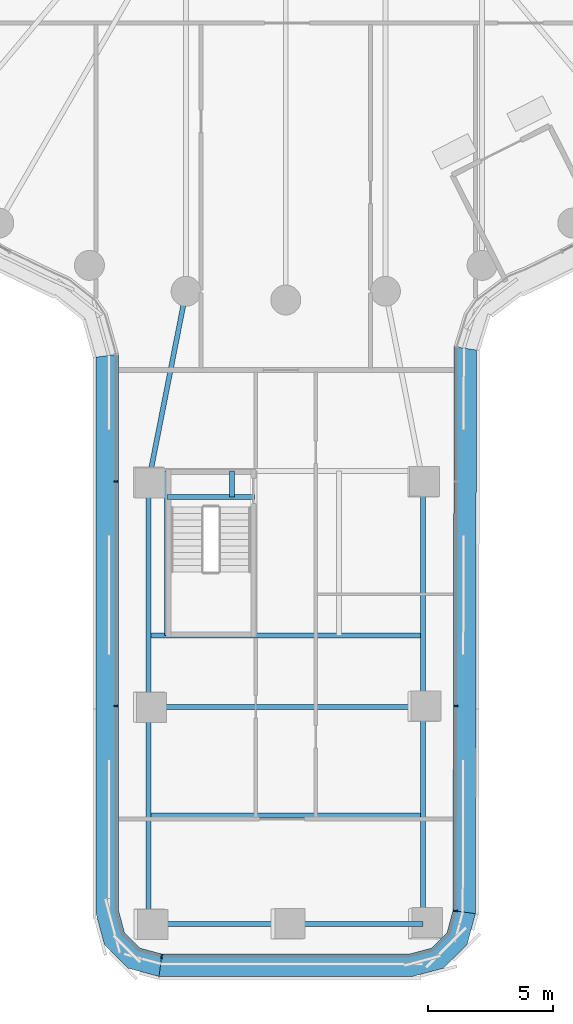
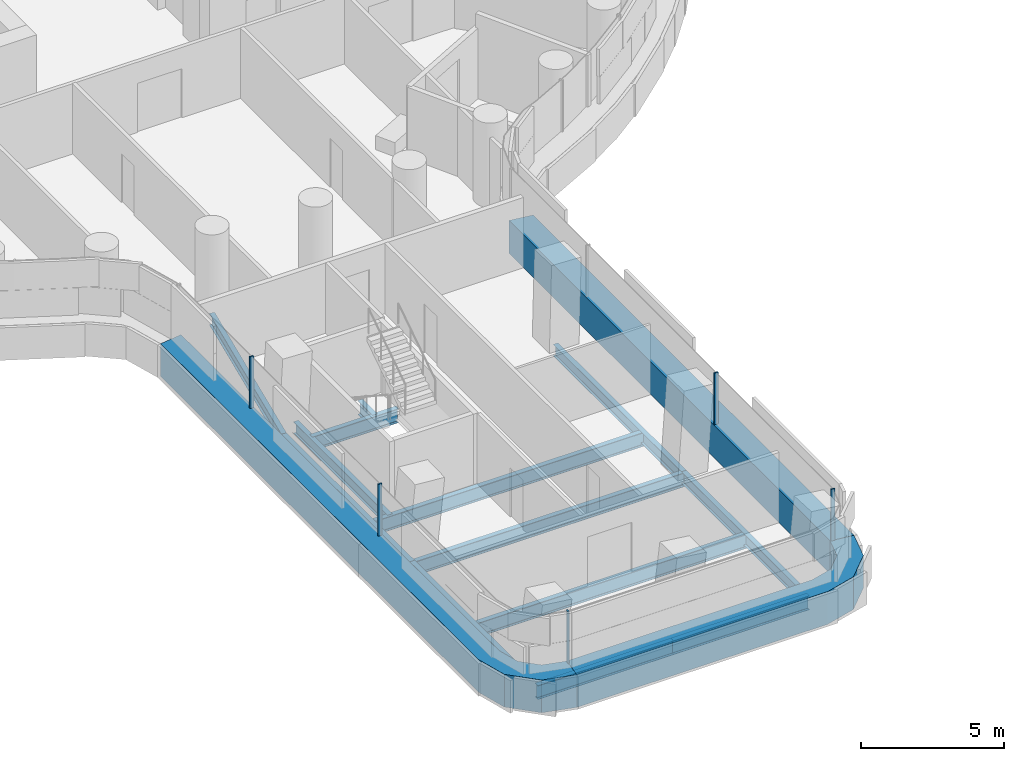
# One storey, part 2 of 32: 13 beams, 8 members, 3 elements without a shape of their own.
"""IFC4 building model written with IfcOpenShell, lengths in metres."""

from ifc_helpers import new_model, si_unit, direction, frame, origin, origin_2d, place, context, subcontext, project, spatial, polyline, rectangle, i_section, outline, extrude, material, layer, layer_set, material_profile, profile_set, type_object, element, aggregate, save


model = new_model("IFC4")

# Units and contexts
model_context = context("Model", 3, precision=1e-05, world=origin(), true_north=direction((0.0, 1.0)))
body_context = subcontext(model_context, "Body", "Model", "MODEL_VIEW")
ifc_project = project(units=[si_unit("LENGTHUNIT", "METRE"), si_unit("AREAUNIT", "SQUARE_METRE"), si_unit("VOLUMEUNIT", "CUBIC_METRE"), si_unit("PLANEANGLEUNIT", "RADIAN"), si_unit("MASSUNIT", "GRAM", prefix="KILO")], contexts=[model_context])

# Site, building, storey
site_placement = place(None, origin())
site = spatial("IfcSite", under=ifc_project, at=site_placement, CompositionType="ELEMENT")
building_placement = place(site_placement, origin())
building = spatial("IfcBuilding", under=site, at=building_placement, Name="Tamarind Cross Interchange Tower", CompositionType="ELEMENT")
storey_placement = place(building_placement, frame((0.0, 0.0, 34.0)))
storey = spatial("IfcBuildingStorey", under=building, at=storey_placement, Name="L06", CompositionType="ELEMENT", Elevation=34.0)

# Beams
ifc_material_1 = material(Name="Steel Q355B", Category="steel")
ifc_material_profile_1 = material_profile(ifc_material_1, i_section(OverallWidth=0.198974609375, OverallDepth=0.49609375, WebThickness=0.009033203125, FlangeThickness=0.013916015625, FilletRadius=0.012939453125, at=origin_2d()), Name="HN 496x199x9x14")
ifc_profile_set_1 = profile_set([ifc_material_profile_1], Name="Steel Q355B")
beam_type_1 = type_object("IfcBeamType", Name="Composite beam HN 496x199x9x14 Q355B", PredefinedType="BEAM", material=ifc_profile_set_1)
beam_1_placement = place(storey_placement, frame((-5.5, -48.007568359375, -0.387939453125), z_axis=(0.0, 1.0, 0.0), x_axis=(-1.0, 0.0, 0.0)))
element("IfcBeam", 1, at=beam_1_placement, inside=storey, type_object=beam_type_1, Name="Beam S-edgeem5", PredefinedType="BEAM", context=body_context, shape_type="SweptSolid", body=[
    extrude(i_section(OverallWidth=0.198974609375, OverallDepth=0.49609375, WebThickness=0.009033203125, FlangeThickness=0.013916015625, FilletRadius=0.012939453125, at=origin_2d()), origin(), (0.0, 0.0, 1.0), 8.70751953125),
])
beam_2_placement = place(storey_placement, frame((-5.5, -39.300048828125, -0.387939453125), z_axis=(0.0, 1.0, 0.0), x_axis=(-1.0, 0.0, 0.0)))
element("IfcBeam", 2, at=beam_2_placement, inside=storey, type_object=beam_type_1, Name="Beam S-edgeem6", PredefinedType="BEAM", context=body_context, shape_type="SweptSolid", body=[
    extrude(i_section(OverallWidth=0.198974609375, OverallDepth=0.49609375, WebThickness=0.009033203125, FlangeThickness=0.013916015625, FilletRadius=0.012939453125, at=origin_2d()), origin(), (0.0, 0.0, 1.0), 9.0),
])
beam_3_placement = place(storey_placement, frame((5.5, -48.007568359375, -0.387939453125), z_axis=(0.0, 1.0, 0.0), x_axis=(-1.0, 0.0, 0.0)))
element("IfcBeam", 3, at=beam_3_placement, inside=storey, type_object=beam_type_1, Name="Beam S-edgeep2", PredefinedType="BEAM", context=body_context, shape_type="SweptSolid", body=[
    extrude(i_section(OverallWidth=0.198974609375, OverallDepth=0.49609375, WebThickness=0.009033203125, FlangeThickness=0.013916015625, FilletRadius=0.012939453125, at=origin_2d()), origin(), (0.0, 0.0, 1.0), 8.70751953125),
])
beam_4_placement = place(storey_placement, frame((5.5, -39.300048828125, -0.387939453125), z_axis=(0.0, 1.0, 0.0), x_axis=(-1.0, 0.0, 0.0)))
element("IfcBeam", 4, at=beam_4_placement, inside=storey, type_object=beam_type_1, Name="Beam S-edgeep3", PredefinedType="BEAM", context=body_context, shape_type="SweptSolid", body=[
    extrude(i_section(OverallWidth=0.198974609375, OverallDepth=0.49609375, WebThickness=0.009033203125, FlangeThickness=0.013916015625, FilletRadius=0.012939453125, at=origin_2d()), origin(), (0.0, 0.0, 1.0), 9.0),
])
beam_5_placement = place(storey_placement, frame((-5.5, -30.300048828125, -0.387939453125), z_axis=(0.193182484014, 0.981162844726, 0.0), x_axis=(-0.981162844726, 0.193182484014, 0.0)))
element("IfcBeam", 5, at=beam_5_placement, inside=storey, type_object=beam_type_1, Name="Beam S-linkem", PredefinedType="BEAM", context=body_context, shape_type="SweptSolid", body=[
    extrude(i_section(OverallWidth=0.198974609375, OverallDepth=0.49609375, WebThickness=0.009033203125, FlangeThickness=0.013916015625, FilletRadius=0.012939453125, at=origin_2d()), origin(), (0.0, 0.0, 1.0), 7.79638671875),
])
beam_6_placement = place(storey_placement, frame((-4.75, -29.85009765625, -0.387939453125), z_axis=(0.0, -1.0, 0.0), x_axis=(1.0, 0.0, 0.0)))
element("IfcBeam", 6, at=beam_6_placement, inside=storey, type_object=beam_type_1, Name="Beam S-tr0", PredefinedType="BEAM", context=body_context, shape_type="SweptSolid", body=[
    extrude(i_section(OverallWidth=0.198974609375, OverallDepth=0.49609375, WebThickness=0.009033203125, FlangeThickness=0.013916015625, FilletRadius=0.012939453125, at=origin_2d()), origin(), (0.0, 0.0, 1.0), 6.599853515625),
])
ifc_material_profile_2 = material_profile(ifc_material_1, i_section(OverallWidth=0.199951171875, OverallDepth=0.60009765625, WebThickness=0.010986328125, FlangeThickness=0.01708984375, FilletRadius=0.012939453125, at=origin_2d()), Name="HN 600x200x11x17")
ifc_profile_set_2 = profile_set([ifc_material_profile_2], Name="Steel Q355B")
beam_type_2 = type_object("IfcBeamType", Name="Composite beam HN 600x200x11x17 Q355B", PredefinedType="BEAM", material=ifc_profile_set_2)
beam_7_placement = place(storey_placement, frame((-4.75, -30.89990234375, -0.43994140625), z_axis=(1.0, 0.0, 0.0), x_axis=(0.0, 1.0, 0.0)))
element("IfcBeam", 7, at=beam_7_placement, inside=storey, type_object=beam_type_2, Name="Beam S-isl0", PredefinedType="BEAM", context=body_context, shape_type="SweptSolid", body=[
    extrude(i_section(OverallWidth=0.199951171875, OverallDepth=0.60009765625, WebThickness=0.010986328125, FlangeThickness=0.01708984375, FilletRadius=0.012939453125, at=origin_2d()), origin(), (0.0, 0.0, 1.0), 3.5),
])
beam_8_placement = place(storey_placement, frame((-2.14990234375, -29.85009765625, -0.43994140625), z_axis=(0.0, -1.0, 0.0), x_axis=(1.0, 0.0, 0.0)))
element("IfcBeam", 8, at=beam_8_placement, inside=storey, type_object=beam_type_2, Name="Beam S-isl1", PredefinedType="BEAM", context=body_context, shape_type="SweptSolid", body=[
    extrude(i_section(OverallWidth=0.199951171875, OverallDepth=0.60009765625, WebThickness=0.010986328125, FlangeThickness=0.01708984375, FilletRadius=0.012939453125, at=origin_2d()), origin(), (0.0, 0.0, 1.0), 1.0498046875),
])
for number, where, z_axis, x_axis, name in (
    (9, (-5.5, -48.007568359375, -0.43994140625), (1.0, 0.0, 0.0), (0.0, 1.0, 0.0), "Beam S-tip0"),
    (10, (0.0, -48.007568359375, -0.43994140625), (1.0, 0.0, 0.0), (0.0, 1.0, 0.0), "Beam S-tip1"),
):
    element("IfcBeam", number, at=place(storey_placement, frame(where, z_axis=z_axis, x_axis=x_axis)), inside=storey, type_object=beam_type_2, Name=name, PredefinedType="BEAM", context=body_context, shape_type="SweptSolid", body=[
        extrude(i_section(OverallWidth=0.199951171875, OverallDepth=0.60009765625, WebThickness=0.010986328125, FlangeThickness=0.01708984375, FilletRadius=0.012939453125, at=origin_2d()), origin(), (0.0, 0.0, 1.0), 5.5),
    ])
for number, where, z_axis, x_axis, name in (
    (11, (-5.5, -36.449951171875, -0.43994140625), (1.0, 0.0, 0.0), (0.0, 1.0, 0.0), "Beam S-x364"),
    (12, (-5.5, -39.300048828125, -0.43994140625), (1.0, 0.0, 0.0), (0.0, 1.0, 0.0), "Beam S-x393"),
    (13, (-5.5, -43.65380859375, -0.43994140625), (1.0, 0.0, 0.0), (0.0, 1.0, 0.0), "Beam S-x437"),
):
    element("IfcBeam", number, at=place(storey_placement, frame(where, z_axis=z_axis, x_axis=x_axis)), inside=storey, type_object=beam_type_2, Name=name, PredefinedType="BEAM", context=body_context, shape_type="SweptSolid", body=[
        extrude(i_section(OverallWidth=0.199951171875, OverallDepth=0.60009765625, WebThickness=0.010986328125, FlangeThickness=0.01708984375, FilletRadius=0.012939453125, at=origin_2d()), origin(), (0.0, 0.0, 1.0), 11.0),
    ])

# Curtain wall, member
ifc_material_2 = material(Name="Aluminium 6063-T6", Category="aluminium")
ifc_layer = layer(ifc_material_2, 0.159912109375)
ifc_layer_set = layer_set([ifc_layer], Name="Aluminium 6063-T6")
curtain_wall_type = type_object("IfcCurtainWallType", Name="Office curtain wall, 9.0 m bays", PredefinedType="NOTDEFINED", material=ifc_layer_set)
curtain_wall_1_placement = place(storey_placement, origin())
curtain_wall_1 = element("IfcCurtainWall", 14, at=curtain_wall_1_placement, inside=storey, type_object=curtain_wall_type, Name="CWS-L06-04", PredefinedType="NOTDEFINED")
ifc_material_3 = material(Name="Aluminium and insulated spandrel panel", Category="aluminium")
member_type_1 = type_object("IfcMemberType", Name="Floor-edge blade transom", PredefinedType="USERDEFINED", material=ifc_material_3)
member_1_placement = place(storey_placement, origin())
member_1 = element("IfcMember", 15, at=member_1_placement, type_object=member_type_1, Name="CWT-L06-04", ObjectType="TRANSOM", PredefinedType="USERDEFINED", context=body_context, shape_type="SweptSolid", body=[
    extrude(outline(polyline([(-6.699951171875, -25.167724609375), (-6.699951171875, -47.468017578125), (-6.463134765625, -48.352294921875), (-5.8447265625, -48.970703125), (-4.96044921875, -49.20751953125), (-5.0791015625, -50.107666015625), (-6.310546875, -49.777587890625), (-7.27001953125, -48.818115234375), (-7.60009765625, -47.586669921875), (-7.60009765625, -25.291015625), (-6.699951171875, -25.167724609375)])), origin(), (0.0, 0.0, 1.0), 1.39990234375),
])

curtain_wall_2_placement = place(storey_placement, origin())
curtain_wall_2 = element("IfcCurtainWall", 16, at=curtain_wall_2_placement, inside=storey, type_object=curtain_wall_type, Name="CWS-L06-05", PredefinedType="NOTDEFINED")
member_2_placement = place(storey_placement, origin())
member_2 = element("IfcMember", 17, at=member_2_placement, type_object=member_type_1, Name="CWT-L06-05", ObjectType="TRANSOM", PredefinedType="USERDEFINED", context=body_context, shape_type="SweptSolid", body=[
    extrude(outline(polyline([(-4.96044921875, -49.20751953125), (4.96044921875, -49.20751953125), (5.8447265625, -48.970703125), (6.463134765625, -48.352294921875), (6.7001953125, -47.4677734375), (7.599853515625, -47.587158203125), (7.27001953125, -48.818115234375), (6.310546875, -49.777587890625), (5.0791015625, -50.107666015625), (-5.0791015625, -50.107666015625), (-4.96044921875, -49.20751953125)])), origin(), (0.0, 0.0, 1.0), 1.39990234375),
])

curtain_wall_3_placement = place(storey_placement, origin())
curtain_wall_3 = element("IfcCurtainWall", 18, at=curtain_wall_3_placement, inside=storey, type_object=curtain_wall_type, Name="CWS-L06-06", PredefinedType="NOTDEFINED")
member_3_placement = place(storey_placement, origin())
member_3 = element("IfcMember", 19, at=member_3_placement, type_object=member_type_1, Name="CWT-L06-06", ObjectType="TRANSOM", PredefinedType="USERDEFINED", context=body_context, shape_type="SweptSolid", body=[
    extrude(outline(polyline([(6.7001953125, -47.4677734375), (6.744384765625, -24.86962890625), (7.64404296875, -25.00634765625), (7.599853515625, -47.587158203125), (6.7001953125, -47.4677734375)])), origin(), (0.0, 0.0, 1.0), 1.39990234375),
])

# Member
ifc_material_profile_3 = material_profile(ifc_material_2, rectangle(XDim=0.06005859375, YDim=0.159912109375, at=origin_2d()), Name="Mullion CW1")
ifc_profile_set_3 = profile_set([ifc_material_profile_3], Name="Aluminium 6063-T6")
member_type_2 = type_object("IfcMemberType", Name="Mullion CW1", PredefinedType="MULLION", material=ifc_profile_set_3)
member_4_placement = place(storey_placement, frame((-6.800048828125, -30.27294921875, 1.39990234375), z_axis=(0.0, 0.0, 1.0), x_axis=(0.0, -1.0, 0.0)))
member_4 = element("IfcMember", 20, at=member_4_placement, type_object=member_type_2, Name="CWM-L06-04-01", PredefinedType="MULLION", context=body_context, shape_type="SweptSolid", body=[
    extrude(rectangle(XDim=0.06005859375, YDim=0.159912109375, at=origin_2d()), origin(), (0.0, 0.0, 1.0), 2.210205078125),
])

member_5_placement = place(storey_placement, frame((-6.800048828125, -39.273193359375, 1.39990234375), z_axis=(0.0, 0.0, 1.0), x_axis=(0.0, -1.0, 0.0)))
member_5 = element("IfcMember", 21, at=member_5_placement, type_object=member_type_2, Name="CWM-L06-04-02", PredefinedType="MULLION", context=body_context, shape_type="SweptSolid", body=[
    extrude(rectangle(XDim=0.06005859375, YDim=0.159912109375, at=origin_2d()), origin(), (0.0, 0.0, 1.0), 2.210205078125),
])

aggregate(curtain_wall_1, [member_4, member_5, member_1])

member_6_placement = place(storey_placement, frame((-4.9736328125, -49.3076171875, 1.39990234375), z_axis=(0.0, 0.0, 1.0), x_axis=(0.991444861374, -0.13052619222, 0.0)))
member_6 = element("IfcMember", 22, at=member_6_placement, type_object=member_type_2, Name="CWM-L06-05-00", PredefinedType="MULLION", context=body_context, shape_type="SweptSolid", body=[
    extrude(rectangle(XDim=0.06005859375, YDim=0.159912109375, at=origin_2d()), origin(), (0.0, 0.0, 1.0), 2.210205078125),
])

aggregate(curtain_wall_2, [member_6, member_2])

member_7_placement = place(storey_placement, frame((6.800048828125, -47.48095703125, 1.39990234375), z_axis=(0.0, 0.0, 1.0), x_axis=(0.13149862601, 0.991316352815, 0.0)))
member_7 = element("IfcMember", 23, at=member_7_placement, type_object=member_type_2, Name="CWM-L06-06-00", PredefinedType="MULLION", context=body_context, shape_type="SweptSolid", body=[
    extrude(rectangle(XDim=0.06005859375, YDim=0.159912109375, at=origin_2d()), origin(), (0.0, 0.0, 1.0), 2.210205078125),
])

member_8_placement = place(storey_placement, frame((6.816162109375, -39.27197265625, 1.39990234375), z_axis=(0.0, 0.0, 1.0), x_axis=(0.00196177549, 0.999998075717, 0.0)))
member_8 = element("IfcMember", 24, at=member_8_placement, type_object=member_type_2, Name="CWM-L06-06-01", PredefinedType="MULLION", context=body_context, shape_type="SweptSolid", body=[
    extrude(rectangle(XDim=0.06005859375, YDim=0.159912109375, at=origin_2d()), origin(), (0.0, 0.0, 1.0), 2.210205078125),
])

aggregate(curtain_wall_3, [member_7, member_8, member_3])

save(model, "model.ifc")
